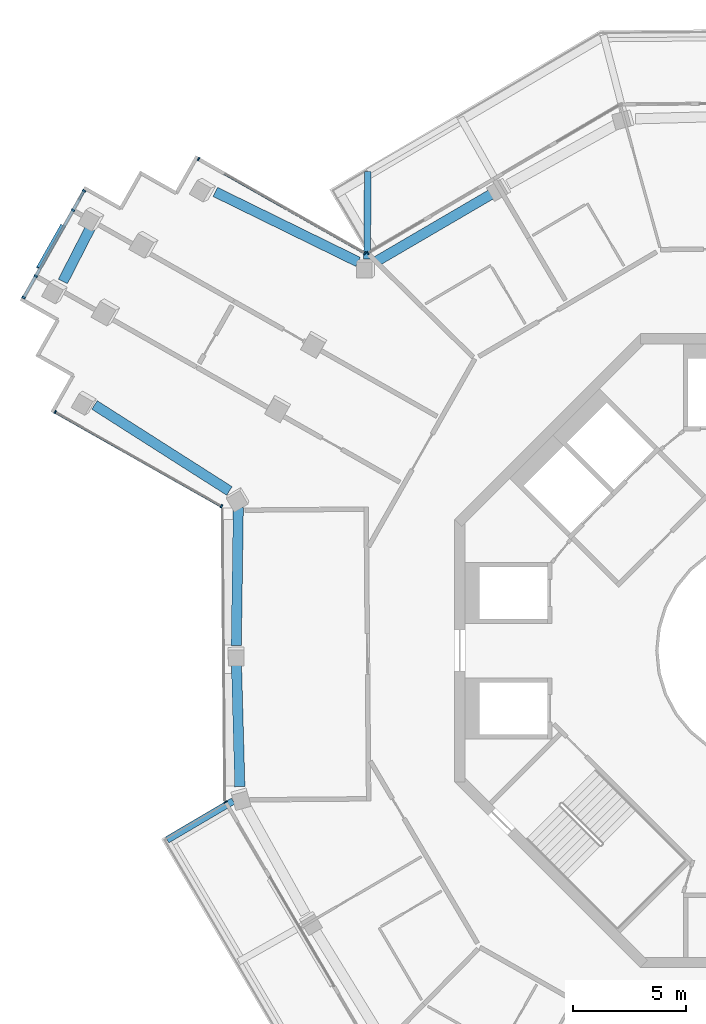
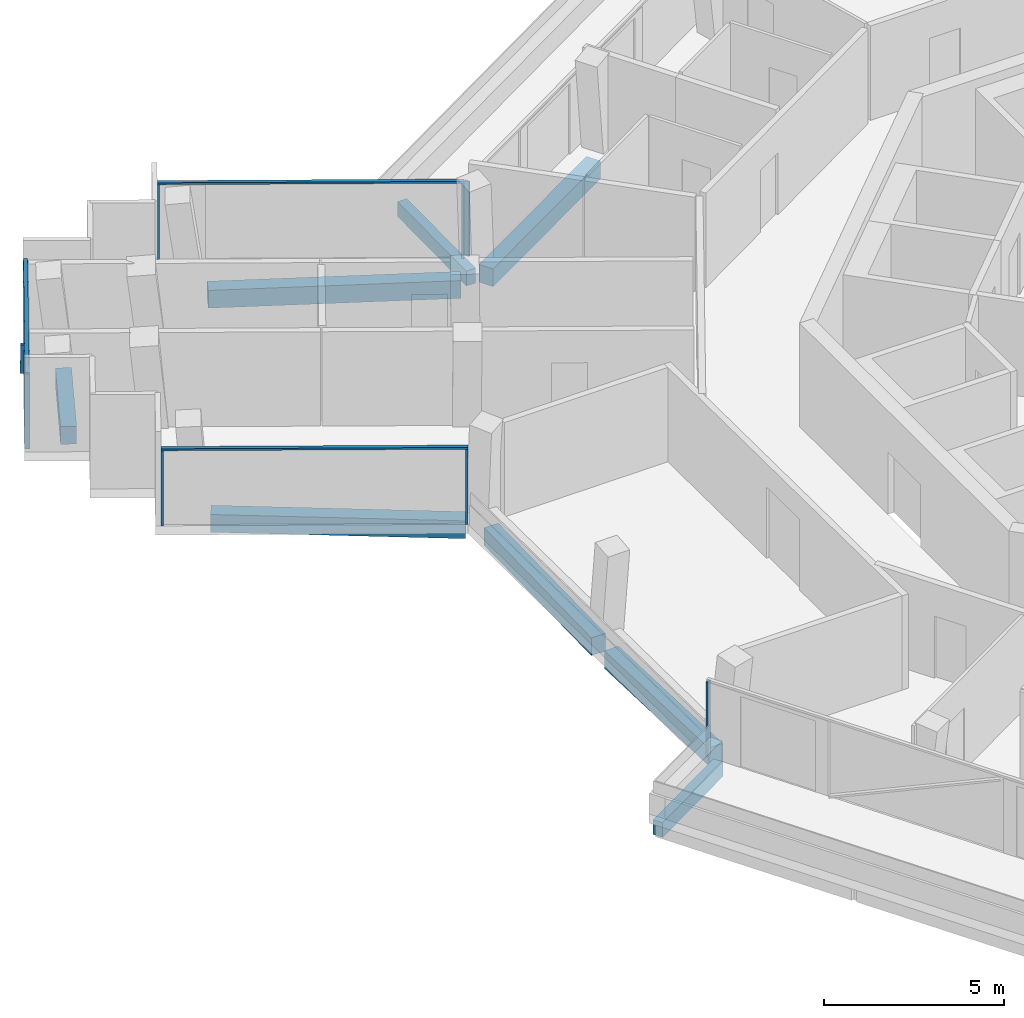
# One storey, part 6 of 26: 14 members, 8 beams, 5 elements without a shape of their own.
"""IFC4 building model written with IfcOpenShell, lengths in metres."""

from ifc_helpers import new_model, si_unit, direction, frame, origin, origin_2d, place, context, subcontext, project, spatial, rectangle, extrude, material, layer, layer_set, material_profile, profile_set, type_object, element, aggregate, save


model = new_model("IFC4")

# Units and contexts
model_context = context("Model", 3, precision=1e-05, world=origin(), true_north=direction((0.0, 1.0)))
body_context = subcontext(model_context, "Body", "Model", "MODEL_VIEW")
ifc_project = project(units=[si_unit("LENGTHUNIT", "METRE"), si_unit("AREAUNIT", "SQUARE_METRE"), si_unit("VOLUMEUNIT", "CUBIC_METRE"), si_unit("PLANEANGLEUNIT", "RADIAN"), si_unit("MASSUNIT", "GRAM", prefix="KILO")], contexts=[model_context])

# Site, building, storey
site_placement = place(None, origin())
site = spatial("IfcSite", under=ifc_project, at=site_placement, CompositionType="ELEMENT")
building_placement = place(site_placement, origin())
building = spatial("IfcBuilding", under=site, at=building_placement, Name="Verdalira Terraces Hotel", CompositionType="ELEMENT")
storey_placement = place(building_placement, frame((0.0, 0.0, 281.0)))
storey = spatial("IfcBuildingStorey", under=building, at=storey_placement, Name="L69", CompositionType="ELEMENT", Elevation=281.0)

# Beams
ifc_material_1 = material(Name="Concrete C40", Category="concrete")
ifc_material_profile_1 = material_profile(ifc_material_1, rectangle(XDim=0.300049, YDim=0.5, at=origin_2d()), Name="RC 300X500")
ifc_profile_set_1 = profile_set([ifc_material_profile_1], Name="Concrete C40")
beam_type_1 = type_object("IfcBeamType", Name="Balcony cantilever beam RC 300X500 C40", PredefinedType="BEAM", material=ifc_profile_set_1)
beam_1_placement = place(storey_placement, frame((-23.787842, -6.648193, -0.560059), z_axis=(-0.861808132, -0.507234407, 0.0), x_axis=(0.507234407, -0.861808132, 0.0)))
element("IfcBeam", 1, at=beam_1_placement, inside=storey, type_object=beam_type_1, Name="Balcony cantilever beam R12-1", PredefinedType="BEAM", context=body_context, shape_type="SweptSolid", body=[
    extrude(rectangle(XDim=0.300049, YDim=0.5, at=origin_2d()), origin(), (0.0, 0.0, 1.0), 3.385498),
])
beam_2_placement = place(storey_placement, frame((-17.872314, 17.29248, -0.560059), z_axis=(0.008327787, 0.999965323, 0.0), x_axis=(-0.999965323, 0.008327787, 0.0)))
element("IfcBeam", 2, at=beam_2_placement, inside=storey, type_object=beam_type_1, Name="Balcony cantilever beam R40-2", PredefinedType="BEAM", context=body_context, shape_type="SweptSolid", body=[
    extrude(rectangle(XDim=0.300049, YDim=0.5, at=origin_2d()), origin(), (0.0, 0.0, 1.0), 3.869873),
])

# Curtain wall, member
ifc_material_2 = material(Name="Clear glass", Category="glass")
ifc_layer_1 = layer(ifc_material_2, 0.14990234375)
ifc_layer_set_1 = layer_set([ifc_layer_1], Name="CW1 curtain wall")
curtain_wall_type_1 = type_object("IfcCurtainWallType", Name="CW1 curtain wall", PredefinedType="NOTDEFINED", material=ifc_layer_set_1)
curtain_wall_1_placement = place(storey_placement, origin())
curtain_wall_1 = element("IfcCurtainWall", 3, at=curtain_wall_1_placement, inside=storey, type_object=curtain_wall_type_1, Name="CW1 curtain wall L69 edge 12", PredefinedType="NOTDEFINED")
ifc_material_3 = material(Name="Terracotta frame", Category="masonry")
ifc_material_profile_2 = material_profile(ifc_material_3, rectangle(XDim=0.060059, YDim=0.149902, at=origin_2d()), Name="MU 60x150")
ifc_profile_set_2 = profile_set([ifc_material_profile_2], Name="Terracotta frame")
member_type_1 = type_object("IfcMemberType", Name="CW1 mullion 60x150", PredefinedType="MULLION", material=ifc_profile_set_2)
member_1_placement = place(storey_placement, frame((-24.123291, -6.690918, 0.0), z_axis=(0.0, 0.0, 1.0), x_axis=(0.507237567, -0.861806272, 0.0)))
member_1 = element("IfcMember", 4, at=member_1_placement, type_object=member_type_1, Name="CW1 mullion", PredefinedType="MULLION", context=body_context, shape_type="SweptSolid", body=[
    extrude(rectangle(XDim=0.060059, YDim=0.149902, at=origin_2d()), origin(), (0.0, 0.0, 1.0), 2.524902),
])
aggregate(curtain_wall_1, [member_1])

curtain_wall_2_placement = place(storey_placement, origin())
curtain_wall_2 = element("IfcCurtainWall", 5, at=curtain_wall_2_placement, inside=storey, type_object=curtain_wall_type_1, Name="CW1 curtain wall L69 edge 41", PredefinedType="NOTDEFINED")
member_2_placement = place(storey_placement, frame((-17.842529, 17.55957, 0.0), z_axis=(0.0, 0.0, 1.0), x_axis=(-0.861806272, -0.507237567, 0.0)))
member_2 = element("IfcMember", 6, at=member_2_placement, type_object=member_type_1, Name="CW1 mullion", PredefinedType="MULLION", context=body_context, shape_type="SweptSolid", body=[
    extrude(rectangle(XDim=0.060059, YDim=0.149902, at=origin_2d()), origin(), (0.0, 0.0, 1.0), 2.524902),
])
aggregate(curtain_wall_2, [member_2])

# Curtain wall, members
ifc_material_4 = material(Name="Clear glass", Category="glass")
ifc_layer_2 = layer(ifc_material_4, 0.14990234375)
ifc_layer_set_2 = layer_set([ifc_layer_2], Name="CW2 curtain wall")
curtain_wall_type_2 = type_object("IfcCurtainWallType", Name="CW2 curtain wall", PredefinedType="NOTDEFINED", material=ifc_layer_set_2)
curtain_wall_3_placement = place(storey_placement, origin())
curtain_wall_3 = element("IfcCurtainWall", 7, at=curtain_wall_3_placement, inside=storey, type_object=curtain_wall_type_2, Name="CW2 curtain wall L69 edge 0", PredefinedType="NOTDEFINED")
ifc_material_5 = material(Name="Terracotta frame", Category="masonry")
ifc_material_profile_3 = material_profile(ifc_material_5, rectangle(XDim=0.070068, YDim=0.149902, at=origin_2d()), Name="MU 70x150")
ifc_profile_set_3 = profile_set([ifc_material_profile_3], Name="Terracotta frame")
member_type_2 = type_object("IfcMemberType", Name="CW2 mullion 70x150", PredefinedType="MULLION", material=ifc_profile_set_3)
member_3_placement = place(storey_placement, frame((-17.973877, 17.561035, 0.0), z_axis=(0.0, 0.0, 1.0), x_axis=(-0.870183755, 0.492727342, 0.0)))
member_3 = element("IfcMember", 8, at=member_3_placement, type_object=member_type_2, Name="CW2 mullion", PredefinedType="MULLION", context=body_context, shape_type="SweptSolid", body=[
    extrude(rectangle(XDim=0.070068, YDim=0.149902, at=origin_2d()), origin(), (0.0, 0.0, 1.0), 2.524902),
])
member_4_placement = place(storey_placement, frame((-25.318359, 21.719482, 0.0), z_axis=(0.0, 0.0, 1.0), x_axis=(-0.870183755, 0.492727342, 0.0)))
member_4 = element("IfcMember", 9, at=member_4_placement, type_object=member_type_2, Name="CW2 mullion", PredefinedType="MULLION", context=body_context, shape_type="SweptSolid", body=[
    extrude(rectangle(XDim=0.070068, YDim=0.149902, at=origin_2d()), origin(), (0.0, 0.0, 1.0), 2.524902),
])

curtain_wall_4_placement = place(storey_placement, origin())
curtain_wall_4 = element("IfcCurtainWall", 10, at=curtain_wall_4_placement, inside=storey, type_object=curtain_wall_type_2, Name="CW2 curtain wall L69 edge 10", PredefinedType="NOTDEFINED")
member_5_placement = place(storey_placement, frame((-31.649902, 10.537842, 0.0), z_axis=(0.0, 0.0, 1.0), x_axis=(0.870183755, -0.492727342, 0.0)))
member_5 = element("IfcMember", 11, at=member_5_placement, type_object=member_type_2, Name="CW2 mullion", PredefinedType="MULLION", context=body_context, shape_type="SweptSolid", body=[
    extrude(rectangle(XDim=0.070068, YDim=0.149902, at=origin_2d()), origin(), (0.0, 0.0, 1.0), 2.524902),
])
member_6_placement = place(storey_placement, frame((-24.30542, 6.37915, 0.0), z_axis=(0.0, 0.0, 1.0), x_axis=(0.870183755, -0.492727342, 0.0)))
member_6 = element("IfcMember", 12, at=member_6_placement, type_object=member_type_2, Name="CW2 mullion", PredefinedType="MULLION", context=body_context, shape_type="SweptSolid", body=[
    extrude(rectangle(XDim=0.070068, YDim=0.149902, at=origin_2d()), origin(), (0.0, 0.0, 1.0), 2.524902),
])

# Member
ifc_material_6 = material(Name="Terracotta frame", Category="masonry")
ifc_material_profile_4 = material_profile(ifc_material_6, rectangle(XDim=0.11499, YDim=0.064941, at=origin_2d()), Name="TR 65x115")
ifc_profile_set_4 = profile_set([ifc_material_profile_4], Name="Terracotta frame")
member_type_3 = type_object("IfcMemberType", Name="CW2 transom 65x115", PredefinedType="USERDEFINED", material=ifc_profile_set_4)
member_7_placement = place(storey_placement, frame((-17.943359, 17.543701, 2.557617), z_axis=(-0.870190716, 0.492715048, 0.0), x_axis=(-0.492715048, -0.870190716, 0.0)))
member_7 = element("IfcMember", 13, at=member_7_placement, type_object=member_type_3, Name="CW2 transom", ObjectType="TRANSOM", PredefinedType="USERDEFINED", context=body_context, shape_type="SweptSolid", body=[
    extrude(rectangle(XDim=0.11499, YDim=0.064941, at=origin_2d()), origin(), (0.0, 0.0, 1.0), 8.510254),
])

aggregate(curtain_wall_3, [member_3, member_4, member_7])

member_8_placement = place(storey_placement, frame((-31.68042, 10.554932, 2.557617), z_axis=(0.870190716, -0.492715048, 0.0), x_axis=(0.492715048, 0.870190716, 0.0)))
member_8 = element("IfcMember", 14, at=member_8_placement, type_object=member_type_3, Name="CW2 transom", ObjectType="TRANSOM", PredefinedType="USERDEFINED", context=body_context, shape_type="SweptSolid", body=[
    extrude(rectangle(XDim=0.11499, YDim=0.064941, at=origin_2d()), origin(), (0.0, 0.0, 1.0), 8.510254),
])

aggregate(curtain_wall_4, [member_5, member_6, member_8])

# Curtain wall, members
ifc_material_7 = material(Name="Clear glass", Category="glass")
ifc_layer_3 = layer(ifc_material_7, 0.14990234375)
ifc_layer_set_3 = layer_set([ifc_layer_3], Name="CW3 curtain wall")
curtain_wall_type_3 = type_object("IfcCurtainWallType", Name="CW3 curtain wall", PredefinedType="NOTDEFINED", material=ifc_layer_set_3)
curtain_wall_5_placement = place(storey_placement, origin())
curtain_wall_5 = element("IfcCurtainWall", 15, at=curtain_wall_5_placement, inside=storey, type_object=curtain_wall_type_3, Name="CW3 curtain wall L69 edge 5", PredefinedType="NOTDEFINED")
ifc_material_8 = material(Name="Terracotta frame", Category="masonry")
ifc_material_profile_5 = material_profile(ifc_material_8, rectangle(XDim=0.080078, YDim=0.149902, at=origin_2d()), Name="MU 80x150")
ifc_profile_set_5 = profile_set([ifc_material_profile_5], Name="Terracotta frame")
member_type_4 = type_object("IfcMemberType", Name="CW3 mullion 80x150", PredefinedType="MULLION", material=ifc_profile_set_5)
member_9_placement = place(storey_placement, frame((-30.377197, 20.314941, 0.0), z_axis=(0.0, 0.0, 1.0), x_axis=(-0.492727342, -0.870183755, 0.0)))
member_9 = element("IfcMember", 16, at=member_9_placement, type_object=member_type_4, Name="CW3 mullion", PredefinedType="MULLION", context=body_context, shape_type="SweptSolid", body=[
    extrude(rectangle(XDim=0.080078, YDim=0.149902, at=origin_2d()), origin(), (0.0, 0.0, 1.0), 2.524902),
])
member_10_placement = place(storey_placement, frame((-30.864258, 19.454834, 0.0), z_axis=(0.0, 0.0, 1.0), x_axis=(-0.492727342, -0.870183755, 0.0)))
member_10 = element("IfcMember", 17, at=member_10_placement, type_object=member_type_4, Name="CW3 mullion", PredefinedType="MULLION", context=body_context, shape_type="SweptSolid", body=[
    extrude(rectangle(XDim=0.080078, YDim=0.149902, at=origin_2d()), origin(), (0.0, 0.0, 1.0), 2.524902),
])
member_11_placement = place(storey_placement, frame((-32.510498, 16.547363, 0.0), z_axis=(0.0, 0.0, 1.0), x_axis=(-0.492727342, -0.870183755, 0.0)))
member_11 = element("IfcMember", 18, at=member_11_placement, type_object=member_type_4, Name="CW3 mullion", PredefinedType="MULLION", context=body_context, shape_type="SweptSolid", body=[
    extrude(rectangle(XDim=0.080078, YDim=0.149902, at=origin_2d()), origin(), (0.0, 0.0, 1.0), 2.524902),
])
member_12_placement = place(storey_placement, frame((-33.047852, 15.598389, 0.0), z_axis=(0.0, 0.0, 1.0), x_axis=(-0.492727342, -0.870183755, 0.0)))
member_12 = element("IfcMember", 19, at=member_12_placement, type_object=member_type_4, Name="CW3 mullion", PredefinedType="MULLION", context=body_context, shape_type="SweptSolid", body=[
    extrude(rectangle(XDim=0.080078, YDim=0.149902, at=origin_2d()), origin(), (0.0, 0.0, 1.0), 2.524902),
])
ifc_material_9 = material(Name="Terracotta frame", Category="masonry")
ifc_material_profile_6 = material_profile(ifc_material_9, rectangle(XDim=0.120117, YDim=0.064941, at=origin_2d()), Name="TR 65x120")
ifc_profile_set_6 = profile_set([ifc_material_profile_6], Name="Terracotta frame")
member_type_5 = type_object("IfcMemberType", Name="CW3 transom 65x120", PredefinedType="USERDEFINED", material=ifc_profile_set_6)
member_13_placement = place(storey_placement, frame((-30.357422, 20.349609, 2.557617), z_axis=(-0.492731421, -0.870181445, 0.0), x_axis=(0.870181445, -0.492731421, 0.0)))
member_13 = element("IfcMember", 20, at=member_13_placement, type_object=member_type_5, Name="CW3 transom", ObjectType="TRANSOM", PredefinedType="USERDEFINED", context=body_context, shape_type="SweptSolid", body=[
    extrude(rectangle(XDim=0.120117, YDim=0.064941, at=origin_2d()), origin(), (0.0, 0.0, 1.0), 5.499756),
])
ifc_material_10 = material(Name="Terracotta frame", Category="masonry")
ifc_material_profile_7 = material_profile(ifc_material_10, rectangle(XDim=0.149902, YDim=0.060059, at=origin_2d()), Name="GB 60x150")
ifc_profile_set_7 = profile_set([ifc_material_profile_7], Name="Terracotta frame")
member_type_6 = type_object("IfcMemberType", Name="Diagonal glazing bar 60x150", PredefinedType="USERDEFINED", material=ifc_profile_set_7)
member_14_placement = place(storey_placement, frame((-31.350586, 18.784668, 0.027344), z_axis=(-0.323859495, -0.571968046, 0.75363624), x_axis=(0.870189019, -0.492718044, 0.0)))
member_14 = element("IfcMember", 21, at=member_14_placement, type_object=member_type_6, Name="Diagonal glazing bar", ObjectType="GLAZING BAR", PredefinedType="USERDEFINED", context=body_context, shape_type="SweptSolid", body=[
    extrude(rectangle(XDim=0.149902, YDim=0.060059, at=origin_2d()), origin(), (0.0, 0.0, 1.0), 3.277832),
])
aggregate(curtain_wall_5, [member_9, member_10, member_11, member_12, member_13, member_14])

# Beams
ifc_material_11 = material(Name="Concrete C40", Category="concrete")
ifc_material_profile_8 = material_profile(ifc_material_11, rectangle(XDim=0.449951, YDim=0.600098, at=origin_2d()), Name="RC 450X600")
ifc_profile_set_8 = profile_set([ifc_material_profile_8], Name="Concrete C40")
beam_type_2 = type_object("IfcBeamType", Name="Spandrel beam RC 450X600 C40", PredefinedType="SPANDREL", material=ifc_profile_set_8)
beam_3_placement = place(storey_placement, frame((-18.27002, 17.173584, -0.610107), z_axis=(-0.897957889, 0.44008139, 0.0), x_axis=(-0.44008139, -0.897957889, 0.0)))
element("IfcBeam", 22, at=beam_3_placement, inside=storey, type_object=beam_type_2, Name="Spandrel beam B01", PredefinedType="SPANDREL", context=body_context, shape_type="SweptSolid", body=[
    extrude(rectangle(XDim=0.449951, YDim=0.600098, at=origin_2d()), origin(), (0.0, 0.0, 1.0), 7.024414),
])
beam_4_placement = place(storey_placement, frame((-30.016357, 18.838379, -0.610107), z_axis=(-0.455948853, -0.89000598, 0.0), x_axis=(0.89000598, -0.455948853, 0.0)))
element("IfcBeam", 23, at=beam_4_placement, inside=storey, type_object=beam_type_2, Name="Spandrel beam B02", PredefinedType="SPANDREL", context=body_context, shape_type="SweptSolid", body=[
    extrude(rectangle(XDim=0.449951, YDim=0.600098, at=origin_2d()), origin(), (0.0, 0.0, 1.0), 2.84375),
])
beam_5_placement = place(storey_placement, frame((-29.913574, 10.85083, -0.610107), z_axis=(0.843301381, -0.537440956, 0.0), x_axis=(0.537440956, 0.843301381, 0.0)))
element("IfcBeam", 24, at=beam_5_placement, inside=storey, type_object=beam_type_2, Name="Spandrel beam B03", PredefinedType="SPANDREL", context=body_context, shape_type="SweptSolid", body=[
    extrude(rectangle(XDim=0.449951, YDim=0.600098, at=origin_2d()), origin(), (0.0, 0.0, 1.0), 7.06665),
])
beam_6_placement = place(storey_placement, frame((-23.5625, 6.319824, -0.610107), z_axis=(-0.014734905, -0.999891435, 0.0), x_axis=(0.999891435, -0.014734905, 0.0)))
element("IfcBeam", 25, at=beam_6_placement, inside=storey, type_object=beam_type_2, Name="Spandrel beam B04", PredefinedType="SPANDREL", context=body_context, shape_type="SweptSolid", body=[
    extrude(rectangle(XDim=0.449951, YDim=0.600098, at=origin_2d()), origin(), (0.0, 0.0, 1.0), 6.097412),
])
beam_7_placement = place(storey_placement, frame((-23.647461, -0.491455, -0.610107), z_axis=(0.027681152, -0.999616803, 0.0), x_axis=(0.999616803, 0.027681152, 0.0)))
element("IfcBeam", 26, at=beam_7_placement, inside=storey, type_object=beam_type_2, Name="Spandrel beam B05", PredefinedType="SPANDREL", context=body_context, shape_type="SweptSolid", body=[
    extrude(rectangle(XDim=0.449951, YDim=0.600098, at=origin_2d()), origin(), (0.0, 0.0, 1.0), 5.52124),
])
beam_8_placement = place(storey_placement, frame((-12.246826, 20.244385, -0.610107), z_axis=(-0.863282094, -0.504721732, 0.0), x_axis=(0.504721732, -0.863282094, 0.0)))
element("IfcBeam", 27, at=beam_8_placement, inside=storey, type_object=beam_type_2, Name="Spandrel beam B29", PredefinedType="SPANDREL", context=body_context, shape_type="SweptSolid", body=[
    extrude(rectangle(XDim=0.449951, YDim=0.600098, at=origin_2d()), origin(), (0.0, 0.0, 1.0), 6.011475),
])

save(model, "model.ifc")
